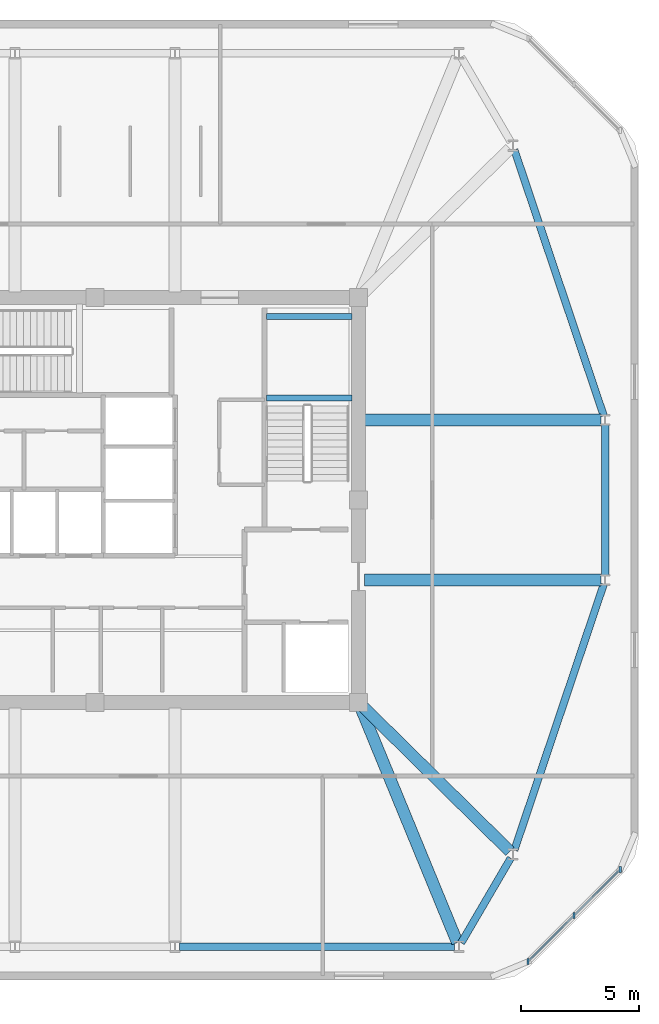
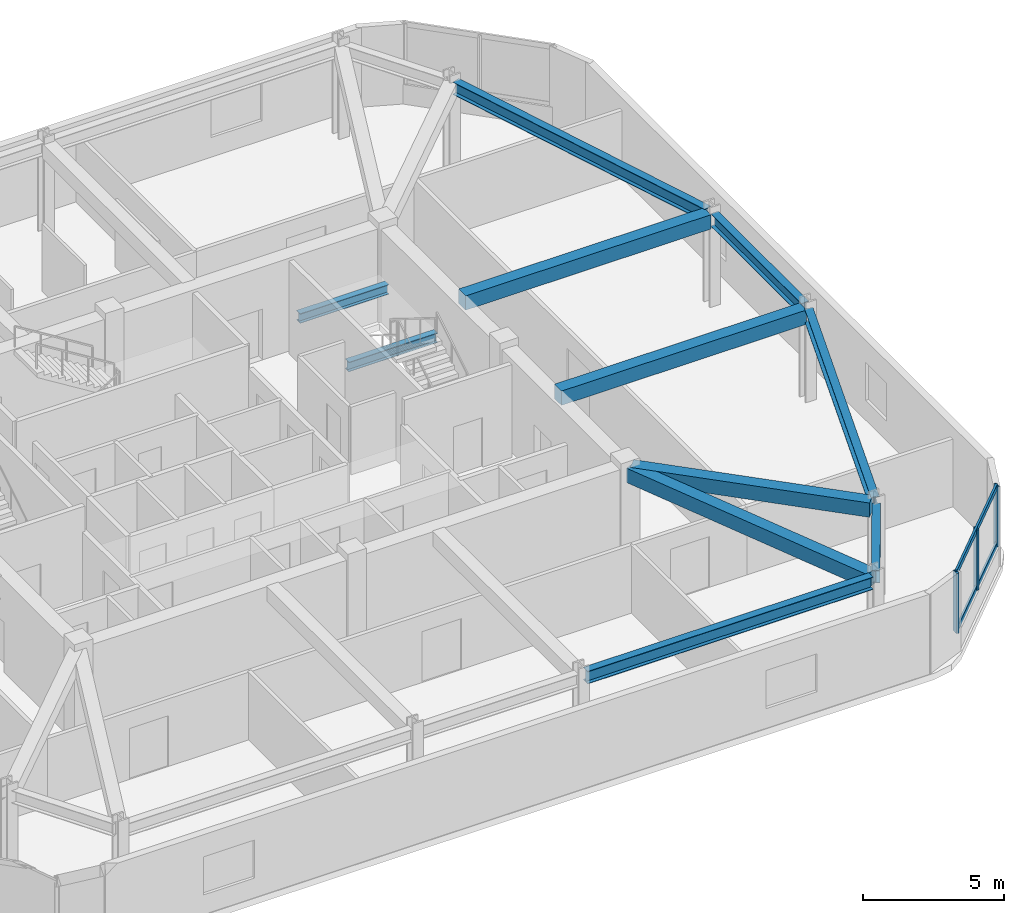
# One storey, part 3 of 9: 11 beams, 5 members, 1 element without a shape of its own.
"""IFC4 building model written with IfcOpenShell, lengths in metres."""

from ifc_helpers import new_model, si_unit, derived_unit, direction, frame, origin, origin_2d, place, context, subcontext, project, spatial, rectangle, i_section, extrude, material, material_profile, profile_set, type_object, element, aggregate, save


model = new_model("IFC4")

# Units and contexts
model_context = context("Model", 3, precision=1e-05, world=origin(), true_north=direction((0.0, 1.0)))
body_context = subcontext(model_context, "Body", "Model", "MODEL_VIEW")
ifc_project = project(units=[si_unit("LENGTHUNIT", "METRE"), si_unit("AREAUNIT", "SQUARE_METRE"), si_unit("VOLUMEUNIT", "CUBIC_METRE"), si_unit("PLANEANGLEUNIT", "RADIAN"), si_unit("MASSUNIT", "GRAM", prefix="KILO"), derived_unit("THERMALTRANSMITTANCEUNIT", [(si_unit("POWERUNIT", "WATT"), 1), (si_unit("LENGTHUNIT", "METRE"), -2), (si_unit("THERMODYNAMICTEMPERATUREUNIT", "KELVIN"), -1)])], contexts=[model_context])

# Site, building, storey
site_placement = place(None, origin())
site = spatial("IfcSite", under=ifc_project, at=site_placement, CompositionType="ELEMENT")
building_placement = place(site_placement, origin())
building = spatial("IfcBuilding", under=site, at=building_placement, Name="Koralith Skygarden Medical Center", CompositionType="ELEMENT")
storey_placement = place(building_placement, frame((0.0, 0.0, 286.02001953125)))
storey = spatial("IfcBuildingStorey", under=building, at=storey_placement, Name="L74", CompositionType="ELEMENT", Elevation=286.02001953125)

# Curtain wall, members
ifc_material_1 = material(Name="Clear Laminated Glass", Category="glass")
curtain_wall_type = type_object("IfcCurtainWallType", Name="CW-8 Crown Lookout Low-Iron Curtain Wall", PredefinedType="NOTDEFINED", material=ifc_material_1)
curtain_wall_placement = place(storey_placement, origin())
curtain_wall = element("IfcCurtainWall", 1, at=curtain_wall_placement, inside=storey, type_object=curtain_wall_type, Name="Curtain Wall CW-L74-SE", PredefinedType="NOTDEFINED")
ifc_material_2 = material(Name="Aluminium 6063-T6", Category="aluminium")
ifc_material_profile_1 = material_profile(ifc_material_2, rectangle(XDim=0.089111328125, YDim=0.25, at=origin_2d()), Name="MUL89X250")
ifc_profile_set_1 = profile_set([ifc_material_profile_1], Name="Aluminium 6063-T6")
member_type_1 = type_object("IfcMemberType", Name="CW-8 Extruded Mullion 89x250", PredefinedType="MULLION", material=ifc_profile_set_1)
member_1_placement = place(storey_placement, frame((55.39599609375, 6.281005859375, 0.85009765625), z_axis=(0.0, 0.0, 1.0), x_axis=(1.0, 0.0, 0.0)))
member_1 = element("IfcMember", 2, at=member_1_placement, type_object=member_type_1, Name="CW-L74-SE Mullion 1", PredefinedType="MULLION", context=body_context, shape_type="SweptSolid", body=[
    extrude(rectangle(XDim=0.089111328125, YDim=0.25, at=origin_2d()), origin(), (0.0, 0.0, 1.0), 2.60986328125),
])
member_2_placement = place(storey_placement, frame((57.35791015625, 8.241943359375, 0.85009765625), z_axis=(0.0, 0.0, 1.0), x_axis=(1.0, 0.0, 0.0)))
member_2 = element("IfcMember", 3, at=member_2_placement, type_object=member_type_1, Name="CW-L74-SE Mullion 2", PredefinedType="MULLION", context=body_context, shape_type="SweptSolid", body=[
    extrude(rectangle(XDim=0.089111328125, YDim=0.25, at=origin_2d()), origin(), (0.0, 0.0, 1.0), 2.60986328125),
])
member_3_placement = place(storey_placement, frame((59.319091796875, 10.2041015625, 0.85009765625), z_axis=(0.0, 0.0, 1.0), x_axis=(1.0, 0.0, 0.0)))
member_3 = element("IfcMember", 4, at=member_3_placement, type_object=member_type_1, Name="CW-L74-SE Mullion 3", PredefinedType="MULLION", context=body_context, shape_type="SweptSolid", body=[
    extrude(rectangle(XDim=0.089111328125, YDim=0.25, at=origin_2d()), origin(), (0.0, 0.0, 1.0), 2.60986328125),
])
ifc_material_profile_2 = material_profile(ifc_material_2, rectangle(XDim=0.083984375, YDim=0.22509765625, at=origin_2d()), Name="TRN84X225")
ifc_profile_set_2 = profile_set([ifc_material_profile_2], Name="Aluminium 6063-T6")
member_type_2 = type_object("IfcMemberType", Name="CW-8 Thermal Transom 84x225", PredefinedType="USERDEFINED", material=ifc_profile_set_2)
member_4_placement = place(storey_placement, frame((55.39599609375, 6.281005859375, 0.89990234375), z_axis=(0.707106781187, 0.707106781187, 0.0), x_axis=(-0.707106781187, 0.707106781187, 0.0)))
member_4 = element("IfcMember", 5, at=member_4_placement, type_object=member_type_2, Name="CW-L74-SE Transom 1", ObjectType="TRANSOM", PredefinedType="USERDEFINED", context=body_context, shape_type="SweptSolid", body=[
    extrude(rectangle(XDim=0.083984375, YDim=0.22509765625, at=origin_2d()), origin(), (0.0, 0.0, 1.0), 5.548095703125),
])
member_5_placement = place(storey_placement, frame((55.39599609375, 6.281005859375, 3.409912109375), z_axis=(0.707106781187, 0.707106781187, 0.0), x_axis=(-0.707106781187, 0.707106781187, 0.0)))
member_5 = element("IfcMember", 6, at=member_5_placement, type_object=member_type_2, Name="CW-L74-SE Transom 2", ObjectType="TRANSOM", PredefinedType="USERDEFINED", context=body_context, shape_type="SweptSolid", body=[
    extrude(rectangle(XDim=0.083984375, YDim=0.22509765625, at=origin_2d()), origin(), (0.0, 0.0, 1.0), 5.548095703125),
])
aggregate(curtain_wall, [member_1, member_2, member_3, member_4, member_5])

# Beams
ifc_material_3 = material(Name="Steel ASTM A992 Grade 50", Category="steel")
ifc_material_profile_3 = material_profile(ifc_material_3, i_section(OverallWidth=0.31201171875, OverallDepth=0.54296875, WebThickness=0.0126953125, FlangeThickness=0.020263671875, at=origin_2d()), Name="W21X101")
ifc_profile_set_3 = profile_set([ifc_material_profile_3], Name="Steel ASTM A992 Grade 50")
beam_type_1 = type_object("IfcBeamType", Name="Canopy Ring Beam W21X101", PredefinedType="SPANDREL", material=ifc_profile_set_3)
beam_1_placement = place(storey_placement, frame((40.5849609375, 6.919921875, 3.7490234375), z_axis=(1.0, 0.0, 0.0), x_axis=(0.0, 1.0, 0.0)))
element("IfcBeam", 7, at=beam_1_placement, inside=storey, type_object=beam_type_1, Name="L74 Perimeter Spandrel Beam SP-05", PredefinedType="SPANDREL", context=body_context, shape_type="SweptSolid", body=[
    extrude(i_section(OverallWidth=0.31201171875, OverallDepth=0.54296875, WebThickness=0.0126953125, FlangeThickness=0.020263671875, at=origin_2d()), origin(), (0.0, 0.0, 1.0), 11.697998046875),
])
beam_2_placement = place(storey_placement, frame((52.56103515625, 7.080078125, 3.7490234375), z_axis=(0.504951618525, 0.863147648406, 0.0), x_axis=(-0.863147648406, 0.504951618525, 0.0)))
element("IfcBeam", 8, at=beam_2_placement, inside=storey, type_object=beam_type_1, Name="L74 Perimeter Spandrel Beam SP-06", PredefinedType="SPANDREL", context=body_context, shape_type="SweptSolid", body=[
    extrude(i_section(OverallWidth=0.31201171875, OverallDepth=0.54296875, WebThickness=0.0126953125, FlangeThickness=0.020263671875, at=origin_2d()), origin(), (0.0, 0.0, 1.0), 4.170654296875),
])
beam_3_placement = place(storey_placement, frame((54.819091796875, 11.014892578125, 3.7490234375), z_axis=(0.318639095106, 0.947876113778, 0.0), x_axis=(-0.947876113778, 0.318639095106, 0.0)))
element("IfcBeam", 9, at=beam_3_placement, inside=storey, type_object=beam_type_1, Name="L74 Perimeter Spandrel Beam SP-07", PredefinedType="SPANDREL", context=body_context, shape_type="SweptSolid", body=[
    extrude(i_section(OverallWidth=0.31201171875, OverallDepth=0.54296875, WebThickness=0.0126953125, FlangeThickness=0.020263671875, at=origin_2d()), origin(), (0.0, 0.0, 1.0), 11.931884765625),
])
beam_4_placement = place(storey_placement, frame((58.679931640625, 22.68505859375, 3.7490234375), z_axis=(0.0, 1.0, 0.0), x_axis=(-1.0, 0.0, 0.0)))
element("IfcBeam", 10, at=beam_4_placement, inside=storey, type_object=beam_type_1, Name="L74 Perimeter Spandrel Beam SP-08", PredefinedType="SPANDREL", context=body_context, shape_type="SweptSolid", body=[
    extrude(i_section(OverallWidth=0.31201171875, OverallDepth=0.54296875, WebThickness=0.0126953125, FlangeThickness=0.020263671875, at=origin_2d()), origin(), (0.0, 0.0, 1.0), 6.429931640625),
])
beam_5_placement = place(storey_placement, frame((58.62109375, 29.47509765625, 3.7490234375), z_axis=(-0.318645275061, 0.947874036294, 0.0), x_axis=(-0.947874036294, -0.318645275061, 0.0)))
element("IfcBeam", 11, at=beam_5_placement, inside=storey, type_object=beam_type_1, Name="L74 Perimeter Spandrel Beam SP-09", PredefinedType="SPANDREL", context=body_context, shape_type="SweptSolid", body=[
    extrude(i_section(OverallWidth=0.31201171875, OverallDepth=0.54296875, WebThickness=0.0126953125, FlangeThickness=0.020263671875, at=origin_2d()), origin(), (0.0, 0.0, 1.0), 11.931884765625),
])
ifc_material_profile_4 = material_profile(ifc_material_3, i_section(OverallWidth=0.260009765625, OverallDepth=0.4150390625, WebThickness=0.010009765625, FlangeThickness=0.016845703125, at=origin_2d()), Name="W16X67")
ifc_profile_set_4 = profile_set([ifc_material_profile_4], Name="Steel ASTM A992 Grade 50")
beam_type_2 = type_object("IfcBeamType", Name="Clinical Floor Joist W16X67", PredefinedType="JOIST", material=ifc_profile_set_4)
for number, where, z_axis, x_axis, name in (
    (12, (44.280029296875, 30.239990234375, 1.7529296875), (1.0, 0.0, 0.0), (0.0, 1.0, 0.0), "L74 Stair ST2 Half-Landing Support Beam 1A"),
    (13, (44.280029296875, 33.699951171875, 1.7529296875), (1.0, 0.0, 0.0), (0.0, 1.0, 0.0), "L74 Stair ST2 Half-Landing Support Beam 1B"),
):
    element("IfcBeam", number, at=place(storey_placement, frame(where, z_axis=z_axis, x_axis=x_axis)), inside=storey, type_object=beam_type_2, Name=name, PredefinedType="JOIST", context=body_context, shape_type="SweptSolid", body=[
        extrude(i_section(OverallWidth=0.260009765625, OverallDepth=0.4150390625, WebThickness=0.010009765625, FlangeThickness=0.016845703125, at=origin_2d()), origin(), (0.0, 0.0, 1.0), 3.639892578125),
    ])
ifc_material_4 = material(Name="Concrete C45/55", Category="concrete")
ifc_material_profile_5 = material_profile(ifc_material_4, rectangle(XDim=0.5, YDim=0.6201171875, at=origin_2d()), Name="RCB500X620")
ifc_profile_set_5 = profile_set([ifc_material_profile_5], Name="Concrete C45/55")
beam_type_3 = type_object("IfcBeamType", Name="Upper Radial Collector Beam RCB500X620", PredefinedType="BEAM", material=ifc_profile_set_5)
beam_6_placement = place(storey_placement, frame((48.294921875, 17.069091796875, 3.7099609375), z_axis=(0.380308155568, -0.924859830898, 0.0), x_axis=(0.924859830898, 0.380308155568, 0.0)))
element("IfcBeam", 14, at=beam_6_placement, inside=storey, type_object=beam_type_3, Name="L74 Radial Collector Beam RB-06", PredefinedType="BEAM", context=body_context, shape_type="SweptSolid", body=[
    extrude(rectangle(XDim=0.5, YDim=0.6201171875, at=origin_2d()), origin(), (0.0, 0.0, 1.0), 10.78857421875),
])
beam_7_placement = place(storey_placement, frame((48.3779296875, 17.125, 3.7099609375), z_axis=(0.712499385168, -0.701672734354, 0.0), x_axis=(0.701672734354, 0.712499385168, 0.0)))
element("IfcBeam", 15, at=beam_7_placement, inside=storey, type_object=beam_type_3, Name="L74 Radial Collector Beam RB-07", PredefinedType="BEAM", context=body_context, shape_type="SweptSolid", body=[
    extrude(rectangle(XDim=0.5, YDim=0.6201171875, at=origin_2d()), origin(), (0.0, 0.0, 1.0), 8.77197265625),
])
for number, where, z_axis, x_axis, name in (
    (16, (48.449951171875, 22.5, 3.7099609375), (1.0, 0.0, 0.0), (0.0, 1.0, 0.0), "L74 Radial Collector Beam RB-08"),
    (17, (48.449951171875, 29.300048828125, 3.7099609375), (1.0, 0.0, 0.0), (0.0, 1.0, 0.0), "L74 Radial Collector Beam RB-09"),
):
    element("IfcBeam", number, at=place(storey_placement, frame(where, z_axis=z_axis, x_axis=x_axis)), inside=storey, type_object=beam_type_3, Name=name, PredefinedType="BEAM", context=body_context, shape_type="SweptSolid", body=[
        extrude(rectangle(XDim=0.5, YDim=0.6201171875, at=origin_2d()), origin(), (0.0, 0.0, 1.0), 10.045166015625),
    ])

save(model, "model.ifc")
